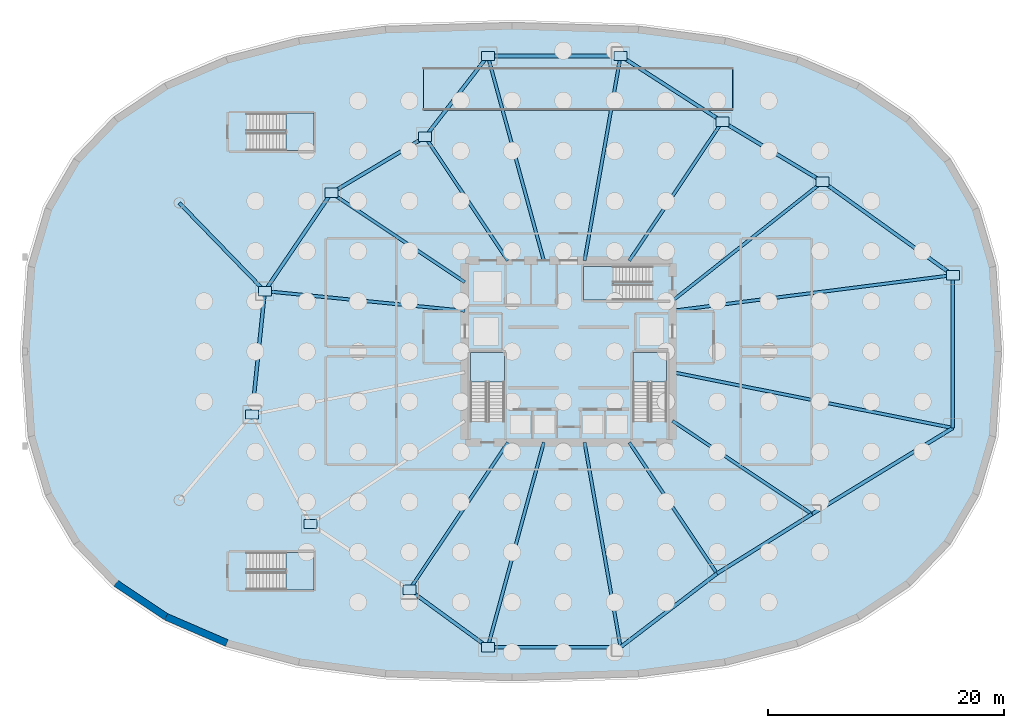
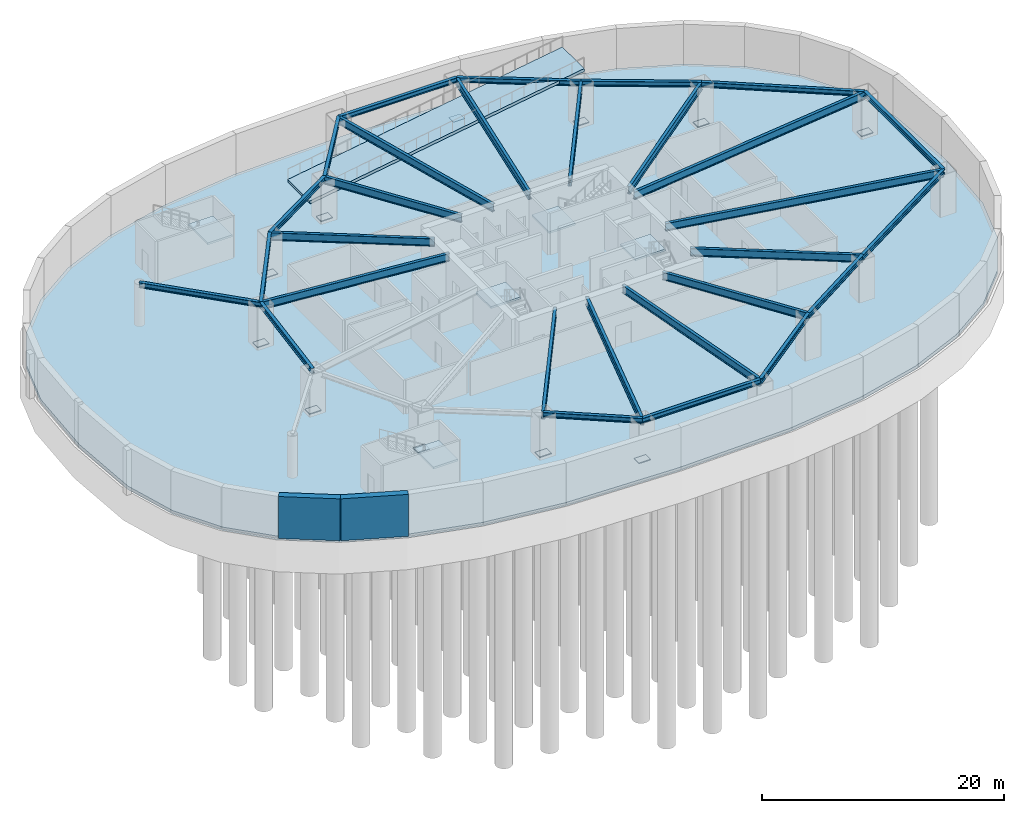
# One storey, part 2 of 10: 29 beams, 12 plates, 7 slabs, 2 walls, 5 elements without a shape of their own.
"""IFC4 building model written with IfcOpenShell, lengths in metres."""

from ifc_helpers import new_model, si_unit, direction, frame, frame_2d, origin, origin_2d, place, context, subcontext, project, spatial, polyline, rectangle, i_section, outline, extrude, source, transform, mapped, material, layer, layer_set, material_profile, profile_set, type_object, element, aggregate, save


model = new_model("IFC4")

# Units and contexts
model_context = context("Model", 3, precision=1e-05, world=origin(), true_north=direction((0.0, 1.0)))
body_context = subcontext(model_context, "Body", "Model", "MODEL_VIEW")
ifc_project = project(units=[si_unit("LENGTHUNIT", "METRE"), si_unit("AREAUNIT", "SQUARE_METRE"), si_unit("VOLUMEUNIT", "CUBIC_METRE"), si_unit("PLANEANGLEUNIT", "RADIAN"), si_unit("MASSUNIT", "GRAM", prefix="KILO"), si_unit("THERMODYNAMICTEMPERATUREUNIT", "KELVIN")], contexts=[model_context])

# Site, building, storey
site_placement = place(None, origin())
site = spatial("IfcSite", under=ifc_project, at=site_placement, CompositionType="ELEMENT")
building_placement = place(site_placement, origin())
building = spatial("IfcBuilding", under=site, at=building_placement, Name="Kethvar Cultural Tower", CompositionType="ELEMENT")
storey_placement = place(building_placement, frame((0.0, 0.0, -9.0)))
storey = spatial("IfcBuildingStorey", under=building, at=storey_placement, Name="B02", CompositionType="ELEMENT", Elevation=-9.0)

# Beams
ifc_material_1 = material(Name="Steel S355J2", Category="steel")
ifc_material_profile_1 = material_profile(ifc_material_1, i_section(OverallWidth=0.300048828125, OverallDepth=0.5, WebThickness=0.014404296875, FlangeThickness=0.028076171875, FilletRadius=0.027099609375, at=origin_2d()), Name="Steel S355J2 — HEB500")
ifc_profile_set_1 = profile_set([ifc_material_profile_1], Name="Steel S355J2 — HEB500")
beam_type_1 = type_object("IfcBeamType", Name="BM-SP500", PredefinedType="SPANDREL", material=ifc_profile_set_1)
shared_shape_1 = source(origin(), body_context, "Body", "SweptSolid", [
    extrude(i_section(OverallWidth=0.300048828125, OverallDepth=0.5, WebThickness=0.014404296875, FlangeThickness=0.028076171875, FilletRadius=0.027099609375, at=origin_2d()), origin(), (0.0, 0.0, 1.0), 13.5712890625),
])
beam_1_placement = place(storey_placement, frame((79.362060546875, 34.277099609375, 3.968017578125), z_axis=(-0.812419874207, 0.583072849645, 0.0), x_axis=(-0.583072849645, -0.812419874207, 0.0)))
element("IfcBeam", 1, at=beam_1_placement, inside=storey, type_object=beam_type_1, Name="B02 Podium Ring Beam 01", PredefinedType="SPANDREL", context=body_context, shape_type="MappedRepresentation", body=[
    mapped(shared_shape_1, transform((0.0, 0.0, 0.0), scale=1.0)),
])
shared_shape_2 = source(origin(), body_context, "Body", "SweptSolid", [
    extrude(i_section(OverallWidth=0.300048828125, OverallDepth=0.5, WebThickness=0.014404296875, FlangeThickness=0.028076171875, FilletRadius=0.027099609375, at=origin_2d()), origin(), (0.0, 0.0, 1.0), 9.924072265625),
])
beam_2_placement = place(storey_placement, frame((68.33642578125, 42.190185546875, 3.968017578125), z_axis=(-0.857664361463, 0.514209921215, 0.0), x_axis=(-0.514209921215, -0.857664361463, 0.0)))
element("IfcBeam", 2, at=beam_2_placement, inside=storey, type_object=beam_type_1, Name="B02 Podium Ring Beam 02", PredefinedType="SPANDREL", context=body_context, shape_type="MappedRepresentation", body=[
    mapped(shared_shape_2, transform((0.0, 0.0, 0.0), scale=1.0)),
])
shared_shape_3 = source(origin(), body_context, "Body", "SweptSolid", [
    extrude(i_section(OverallWidth=0.300048828125, OverallDepth=0.5, WebThickness=0.014404296875, FlangeThickness=0.028076171875, FilletRadius=0.027099609375, at=origin_2d()), origin(), (0.0, 0.0, 1.0), 10.260009765625),
])
beam_3_placement = place(storey_placement, frame((59.824951171875, 47.293212890625, 3.968017578125), z_axis=(-0.840635315951, 0.541601574569, 0.0), x_axis=(-0.541601574569, -0.840635315951, 0.0)))
element("IfcBeam", 3, at=beam_3_placement, inside=storey, type_object=beam_type_1, Name="B02 Podium Ring Beam 03", PredefinedType="SPANDREL", context=body_context, shape_type="MappedRepresentation", body=[
    mapped(shared_shape_3, transform((0.0, 0.0, 0.0), scale=1.0)),
])
shared_shape_4 = source(origin(), body_context, "Body", "SweptSolid", [
    extrude(i_section(OverallWidth=0.300048828125, OverallDepth=0.5, WebThickness=0.014404296875, FlangeThickness=0.028076171875, FilletRadius=0.027099609375, at=origin_2d()), origin(), (0.0, 0.0, 1.0), 11.25),
])
for number, where, z_axis, x_axis, name in (
    (4, (51.199951171875, 52.85009765625, 3.968017578125), (-1.0, 0.0, 0.0), (0.0, -1.0, 0.0), "B02 Podium Ring Beam 04"),
    (5, (39.949951171875, 2.75, 3.968017578125), (1.0, 0.0, 0.0), (0.0, 1.0, 0.0), "B02 Podium Ring Beam 12"),
):
    element("IfcBeam", number, at=place(storey_placement, frame(where, z_axis=z_axis, x_axis=x_axis)), inside=storey, type_object=beam_type_1, Name=name, PredefinedType="SPANDREL", context=body_context, shape_type="MappedRepresentation", body=[
        mapped(shared_shape_4, transform((0.0, 0.0, 0.0), scale=1.0)),
    ])
shared_shape_5 = source(origin(), body_context, "Body", "SweptSolid", [
    extrude(i_section(OverallWidth=0.300048828125, OverallDepth=0.5, WebThickness=0.014404296875, FlangeThickness=0.028076171875, FilletRadius=0.027099609375, at=origin_2d()), origin(), (0.0, 0.0, 1.0), 8.671630859375),
])
beam_4_placement = place(storey_placement, frame((39.949951171875, 52.85009765625, 3.968017578125), z_axis=(-0.611647801721, -0.791130183124, 0.0), x_axis=(0.791130183124, -0.611647801721, 0.0)))
element("IfcBeam", 6, at=beam_4_placement, inside=storey, type_object=beam_type_1, Name="B02 Podium Ring Beam 05", PredefinedType="SPANDREL", context=body_context, shape_type="MappedRepresentation", body=[
    mapped(shared_shape_5, transform((0.0, 0.0, 0.0), scale=1.0)),
])
shared_shape_6 = source(origin(), body_context, "Body", "SweptSolid", [
    extrude(i_section(OverallWidth=0.300048828125, OverallDepth=0.5, WebThickness=0.014404296875, FlangeThickness=0.028076171875, FilletRadius=0.027099609375, at=origin_2d()), origin(), (0.0, 0.0, 1.0), 9.270263671875),
])
beam_5_placement = place(storey_placement, frame((34.64599609375, 45.98974609375, 3.968017578125), z_axis=(-0.858814626354, -0.51228647997, 0.0), x_axis=(0.51228647997, -0.858814626354, 0.0)))
element("IfcBeam", 7, at=beam_5_placement, inside=storey, type_object=beam_type_1, Name="B02 Podium Ring Beam 06", PredefinedType="SPANDREL", context=body_context, shape_type="MappedRepresentation", body=[
    mapped(shared_shape_6, transform((0.0, 0.0, 0.0), scale=1.0)),
])
shared_shape_7 = source(origin(), body_context, "Body", "SweptSolid", [
    extrude(i_section(OverallWidth=0.300048828125, OverallDepth=0.5, WebThickness=0.014404296875, FlangeThickness=0.028076171875, FilletRadius=0.027099609375, at=origin_2d()), origin(), (0.0, 0.0, 1.0), 10.048583984375),
])
beam_6_placement = place(storey_placement, frame((26.6845703125, 41.24072265625, 3.968017578125), z_axis=(-0.561025415443, -0.827798576483, 0.0), x_axis=(0.827798576483, -0.561025415443, 0.0)))
element("IfcBeam", 8, at=beam_6_placement, inside=storey, type_object=beam_type_1, Name="B02 Podium Ring Beam 07", PredefinedType="SPANDREL", context=body_context, shape_type="MappedRepresentation", body=[
    mapped(shared_shape_7, transform((0.0, 0.0, 0.0), scale=1.0)),
])
shared_shape_8 = source(origin(), body_context, "Body", "SweptSolid", [
    extrude(i_section(OverallWidth=0.300048828125, OverallDepth=0.5, WebThickness=0.014404296875, FlangeThickness=0.028076171875, FilletRadius=0.027099609375, at=origin_2d()), origin(), (0.0, 0.0, 1.0), 10.515869140625),
])
beam_7_placement = place(storey_placement, frame((21.047119140625, 32.922607421875, 3.968017578125), z_axis=(-0.102824694973, -0.994699493367, 0.0), x_axis=(0.994699493367, -0.102824694973, 0.0)))
element("IfcBeam", 9, at=beam_7_placement, inside=storey, type_object=beam_type_1, Name="B02 Podium Ring Beam 08", PredefinedType="SPANDREL", context=body_context, shape_type="MappedRepresentation", body=[
    mapped(shared_shape_8, transform((0.0, 0.0, 0.0), scale=1.0)),
])
shared_shape_9 = source(origin(), body_context, "Body", "SweptSolid", [
    extrude(i_section(OverallWidth=0.300048828125, OverallDepth=0.5, WebThickness=0.014404296875, FlangeThickness=0.028076171875, FilletRadius=0.027099609375, at=origin_2d()), origin(), (0.0, 0.0, 1.0), 8.228515625),
])
beam_8_placement = place(storey_placement, frame((33.302001953125, 7.598876953125, 3.968017578125), z_axis=(0.807925716462, -0.589284342808, 0.0), x_axis=(0.589284342808, 0.807925716462, 0.0)))
element("IfcBeam", 10, at=beam_8_placement, inside=storey, type_object=beam_type_1, Name="B02 Podium Ring Beam 11", PredefinedType="SPANDREL", context=body_context, shape_type="MappedRepresentation", body=[
    mapped(shared_shape_9, transform((0.0, 0.0, 0.0), scale=1.0)),
])
shared_shape_10 = source(origin(), body_context, "Body", "SweptSolid", [
    extrude(i_section(OverallWidth=0.300048828125, OverallDepth=0.5, WebThickness=0.014404296875, FlangeThickness=0.028076171875, FilletRadius=0.027099609375, at=origin_2d()), origin(), (0.0, 0.0, 1.0), 10.279052734375),
])
beam_9_placement = place(storey_placement, frame((51.199951171875, 2.75, 3.968017578125), z_axis=(0.794869246576, 0.606780751876, 0.0), x_axis=(-0.606780751876, 0.794869246576, 0.0)))
element("IfcBeam", 11, at=beam_9_placement, inside=storey, type_object=beam_type_1, Name="B02 Podium Ring Beam 13", PredefinedType="SPANDREL", context=body_context, shape_type="MappedRepresentation", body=[
    mapped(shared_shape_10, transform((0.0, 0.0, 0.0), scale=1.0)),
])
shared_shape_11 = source(origin(), body_context, "Body", "SweptSolid", [
    extrude(i_section(OverallWidth=0.300048828125, OverallDepth=0.5, WebThickness=0.014404296875, FlangeThickness=0.028076171875, FilletRadius=0.027099609375, at=origin_2d()), origin(), (0.0, 0.0, 1.0), 9.493896484375),
])
beam_10_placement = place(storey_placement, frame((59.370361328125, 8.987060546875, 3.968017578125), z_axis=(0.847710685997, 0.530458851228, 0.0), x_axis=(-0.530458851228, 0.847710685997, 0.0)))
element("IfcBeam", 12, at=beam_10_placement, inside=storey, type_object=beam_type_1, Name="B02 Podium Ring Beam 14", PredefinedType="SPANDREL", context=body_context, shape_type="MappedRepresentation", body=[
    mapped(shared_shape_11, transform((0.0, 0.0, 0.0), scale=1.0)),
])
shared_shape_12 = source(origin(), body_context, "Body", "SweptSolid", [
    extrude(i_section(OverallWidth=0.300048828125, OverallDepth=0.5, WebThickness=0.014404296875, FlangeThickness=0.028076171875, FilletRadius=0.027099609375, at=origin_2d()), origin(), (0.0, 0.0, 1.0), 13.997802734375),
])
beam_11_placement = place(storey_placement, frame((67.41845703125, 14.023193359375, 3.968017578125), z_axis=(0.853252083851, 0.521498687826, 0.0), x_axis=(-0.521498687826, 0.853252083851, 0.0)))
element("IfcBeam", 13, at=beam_11_placement, inside=storey, type_object=beam_type_1, Name="B02 Podium Ring Beam 15", PredefinedType="SPANDREL", context=body_context, shape_type="MappedRepresentation", body=[
    mapped(shared_shape_12, transform((0.0, 0.0, 0.0), scale=1.0)),
])
shared_shape_13 = source(origin(), body_context, "Body", "SweptSolid", [
    extrude(i_section(OverallWidth=0.300048828125, OverallDepth=0.5, WebThickness=0.014404296875, FlangeThickness=0.028076171875, FilletRadius=0.027099609375, at=origin_2d()), origin(), (0.0, 0.0, 1.0), 12.9541015625),
])
beam_12_placement = place(storey_placement, frame((79.362060546875, 21.322998046875, 3.968017578125), z_axis=(0.0, 1.0, 0.0), x_axis=(-1.0, 0.0, 0.0)))
element("IfcBeam", 14, at=beam_12_placement, inside=storey, type_object=beam_type_1, Name="B02 Podium Ring Beam 16", PredefinedType="SPANDREL", context=body_context, shape_type="MappedRepresentation", body=[
    mapped(shared_shape_13, transform((0.0, 0.0, 0.0), scale=1.0)),
])
shared_shape_14 = source(origin(), body_context, "Body", "SweptSolid", [
    extrude(i_section(OverallWidth=0.300048828125, OverallDepth=0.5, WebThickness=0.014404296875, FlangeThickness=0.028076171875, FilletRadius=0.027099609375, at=origin_2d()), origin(), (0.0, 0.0, 1.0), 10.4130859375),
])
beam_13_placement = place(storey_placement, frame((13.800048828125, 40.39990234375, 3.968017578125), z_axis=(0.695965659729, -0.718075066047, 0.0), x_axis=(0.718075066047, 0.695965659729, 0.0)))
element("IfcBeam", 15, at=beam_13_placement, inside=storey, type_object=beam_type_1, Name="B02 West Atrium Wing Beam 02", PredefinedType="SPANDREL", context=body_context, shape_type="MappedRepresentation", body=[
    mapped(shared_shape_14, transform((0.0, 0.0, 0.0), scale=1.0)),
])
ifc_material_profile_2 = material_profile(ifc_material_1, i_section(OverallWidth=0.26708984375, OverallDepth=0.761962890625, WebThickness=0.014404296875, FlangeThickness=0.021484375, FilletRadius=0.01708984375, at=origin_2d()), Name="Steel S355J2 — IPE750x173")
ifc_profile_set_2 = profile_set([ifc_material_profile_2], Name="Steel S355J2 — IPE750x173")
beam_type_2 = type_object("IfcBeamType", Name="BM-IPE750", PredefinedType="BEAM", material=ifc_profile_set_2)
shared_shape_15 = source(origin(), body_context, "Body", "SweptSolid", [
    extrude(i_section(OverallWidth=0.26708984375, OverallDepth=0.761962890625, WebThickness=0.014404296875, FlangeThickness=0.021484375, FilletRadius=0.01708984375, at=origin_2d()), origin(), (0.0, 0.0, 1.0), 23.9541015625),
])
beam_14_placement = place(storey_placement, frame((55.60009765625, 31.25, 3.8369140625), z_axis=(0.991983004647, 0.126371351546, 0.0), x_axis=(-0.126371351546, 0.991983004647, 0.0)))
element("IfcBeam", 16, at=beam_14_placement, inside=storey, type_object=beam_type_2, Name="B02 Podium Radial Girder 01", PredefinedType="BEAM", context=body_context, shape_type="MappedRepresentation", body=[
    mapped(shared_shape_15, transform((0.0, 0.0, 0.0), scale=1.0)),
])
shared_shape_16 = source(origin(), body_context, "Body", "SweptSolid", [
    extrude(i_section(OverallWidth=0.26708984375, OverallDepth=0.761962890625, WebThickness=0.014404296875, FlangeThickness=0.021484375, FilletRadius=0.01708984375, at=origin_2d()), origin(), (0.0, 0.0, 1.0), 16.248779296875),
])
beam_15_placement = place(storey_placement, frame((55.60009765625, 32.10009765625, 3.8369140625), z_axis=(0.783831288624, 0.620973840813, 0.0), x_axis=(-0.620973840813, 0.783831288624, 0.0)))
element("IfcBeam", 17, at=beam_15_placement, inside=storey, type_object=beam_type_2, Name="B02 Podium Radial Girder 02", PredefinedType="BEAM", context=body_context, shape_type="MappedRepresentation", body=[
    mapped(shared_shape_16, transform((0.0, 0.0, 0.0), scale=1.0)),
])
shared_shape_17 = source(origin(), body_context, "Body", "SweptSolid", [
    extrude(i_section(OverallWidth=0.26708984375, OverallDepth=0.761962890625, WebThickness=0.014404296875, FlangeThickness=0.021484375, FilletRadius=0.01708984375, at=origin_2d()), origin(), (0.0, 0.0, 1.0), 14.18359375),
])
beam_16_placement = place(storey_placement, frame((51.945068359375, 35.5, 3.8369140625), z_axis=(0.55556584065, 0.831472547174, 0.0), x_axis=(-0.831472547174, 0.55556584065, 0.0)))
element("IfcBeam", 18, at=beam_16_placement, inside=storey, type_object=beam_type_2, Name="B02 Podium Radial Girder 03", PredefinedType="BEAM", context=body_context, shape_type="MappedRepresentation", body=[
    mapped(shared_shape_17, transform((0.0, 0.0, 0.0), scale=1.0)),
])
shared_shape_18 = source(origin(), body_context, "Body", "SweptSolid", [
    extrude(i_section(OverallWidth=0.26708984375, OverallDepth=0.761962890625, WebThickness=0.014404296875, FlangeThickness=0.021484375, FilletRadius=0.01708984375, at=origin_2d()), origin(), (0.0, 0.0, 1.0), 17.61572265625),
])
for number, where, z_axis, x_axis, name in (
    (19, (48.152587890625, 35.5, 3.8369140625), (0.172991485085, 0.984923319903, 0.0), (-0.984923319903, 0.172991485085, 0.0), "B02 Podium Radial Girder 04"),
    (20, (48.152587890625, 20.10009765625, 3.8369140625), (0.172991485085, -0.984923319903, 0.0), (0.984923319903, 0.172991485085, 0.0), "B02 Podium Radial Girder 13"),
):
    element("IfcBeam", number, at=place(storey_placement, frame(where, z_axis=z_axis, x_axis=x_axis)), inside=storey, type_object=beam_type_2, Name=name, PredefinedType="BEAM", context=body_context, shape_type="MappedRepresentation", body=[
        mapped(shared_shape_18, transform((0.0, 0.0, 0.0), scale=1.0)),
    ])
shared_shape_19 = source(origin(), body_context, "Body", "SweptSolid", [
    extrude(i_section(OverallWidth=0.26708984375, OverallDepth=0.761962890625, WebThickness=0.014404296875, FlangeThickness=0.021484375, FilletRadius=0.01708984375, at=origin_2d()), origin(), (0.0, 0.0, 1.0), 17.987060546875),
])
for number, where, z_axis, x_axis, name in (
    (21, (44.6943359375, 35.5, 3.8369140625), (-0.26376624534, 0.964586630541, 0.0), (-0.964586630541, -0.26376624534, 0.0), "B02 Podium Radial Girder 05"),
    (22, (44.6943359375, 20.10009765625, 3.8369140625), (-0.26376624534, -0.964586630541, 0.0), (0.964586630541, -0.26376624534, 0.0), "B02 Podium Radial Girder 12"),
):
    element("IfcBeam", number, at=place(storey_placement, frame(where, z_axis=z_axis, x_axis=x_axis)), inside=storey, type_object=beam_type_2, Name=name, PredefinedType="BEAM", context=body_context, shape_type="MappedRepresentation", body=[
        mapped(shared_shape_19, transform((0.0, 0.0, 0.0), scale=1.0)),
    ])
shared_shape_20 = source(origin(), body_context, "Body", "SweptSolid", [
    extrude(i_section(OverallWidth=0.26708984375, OverallDepth=0.761962890625, WebThickness=0.014404296875, FlangeThickness=0.021484375, FilletRadius=0.01708984375, at=origin_2d()), origin(), (0.0, 0.0, 1.0), 12.615966796875),
])
beam_17_placement = place(storey_placement, frame((41.655029296875, 35.5, 3.8369140625), z_axis=(-0.555570723257, 0.831469284736, 0.0), x_axis=(-0.831469284736, -0.555570723257, 0.0)))
element("IfcBeam", 23, at=beam_17_placement, inside=storey, type_object=beam_type_2, Name="B02 Podium Radial Girder 06", PredefinedType="BEAM", context=body_context, shape_type="MappedRepresentation", body=[
    mapped(shared_shape_20, transform((0.0, 0.0, 0.0), scale=1.0)),
])
shared_shape_21 = source(origin(), body_context, "Body", "SweptSolid", [
    extrude(i_section(OverallWidth=0.26708984375, OverallDepth=0.761962890625, WebThickness=0.014404296875, FlangeThickness=0.021484375, FilletRadius=0.01708984375, at=origin_2d()), origin(), (0.0, 0.0, 1.0), 13.60888671875),
])
beam_18_placement = place(storey_placement, frame((38.0, 33.679931640625, 3.8369140625), z_axis=(-0.831467486755, 0.555573414113, 0.0), x_axis=(-0.555573414113, -0.831467486755, 0.0)))
element("IfcBeam", 24, at=beam_18_placement, inside=storey, type_object=beam_type_2, Name="B02 Podium Radial Girder 07", PredefinedType="BEAM", context=body_context, shape_type="MappedRepresentation", body=[
    mapped(shared_shape_21, transform((0.0, 0.0, 0.0), scale=1.0)),
])
shared_shape_22 = source(origin(), body_context, "Body", "SweptSolid", [
    extrude(i_section(OverallWidth=0.26708984375, OverallDepth=0.761962890625, WebThickness=0.014404296875, FlangeThickness=0.021484375, FilletRadius=0.01708984375, at=origin_2d()), origin(), (0.0, 0.0, 1.0), 17.03515625),
])
beam_19_placement = place(storey_placement, frame((38.0, 31.25, 3.8369140625), z_axis=(-0.995168138859, 0.098185413375, 0.0), x_axis=(-0.098185413375, -0.995168138859, 0.0)))
element("IfcBeam", 25, at=beam_19_placement, inside=storey, type_object=beam_type_2, Name="B02 Podium Radial Girder 08", PredefinedType="BEAM", context=body_context, shape_type="MappedRepresentation", body=[
    mapped(shared_shape_22, transform((0.0, 0.0, 0.0), scale=1.0)),
])
shared_shape_23 = source(origin(), body_context, "Body", "SweptSolid", [
    extrude(i_section(OverallWidth=0.26708984375, OverallDepth=0.761962890625, WebThickness=0.014404296875, FlangeThickness=0.021484375, FilletRadius=0.01708984375, at=origin_2d()), origin(), (0.0, 0.0, 1.0), 15.03515625),
])
beam_20_placement = place(storey_placement, frame((41.655029296875, 20.10009765625, 3.8369140625), z_axis=(-0.555569254616, -0.83147026605, 0.0), x_axis=(0.83147026605, -0.555569254616, 0.0)))
element("IfcBeam", 26, at=beam_20_placement, inside=storey, type_object=beam_type_2, Name="B02 Podium Radial Girder 11", PredefinedType="BEAM", context=body_context, shape_type="MappedRepresentation", body=[
    mapped(shared_shape_23, transform((0.0, 0.0, 0.0), scale=1.0)),
])
shared_shape_24 = source(origin(), body_context, "Body", "SweptSolid", [
    extrude(i_section(OverallWidth=0.26708984375, OverallDepth=0.761962890625, WebThickness=0.014404296875, FlangeThickness=0.021484375, FilletRadius=0.01708984375, at=origin_2d()), origin(), (0.0, 0.0, 1.0), 13.365478515625),
])
beam_21_placement = place(storey_placement, frame((51.945068359375, 20.10009765625, 3.8369140625), z_axis=(0.555559834465, -0.831476560301, 0.0), x_axis=(0.831476560301, 0.555559834465, 0.0)))
element("IfcBeam", 27, at=beam_21_placement, inside=storey, type_object=beam_type_2, Name="B02 Podium Radial Girder 14", PredefinedType="BEAM", context=body_context, shape_type="MappedRepresentation", body=[
    mapped(shared_shape_24, transform((0.0, 0.0, 0.0), scale=1.0)),
])
shared_shape_25 = source(origin(), body_context, "Body", "SweptSolid", [
    extrude(i_section(OverallWidth=0.26708984375, OverallDepth=0.761962890625, WebThickness=0.014404296875, FlangeThickness=0.021484375, FilletRadius=0.01708984375, at=origin_2d()), origin(), (0.0, 0.0, 1.0), 14.2138671875),
])
beam_22_placement = place(storey_placement, frame((55.60009765625, 21.920166015625, 3.8369140625), z_axis=(0.831463197362, -0.555579833537, 0.0), x_axis=(0.555579833537, 0.831463197362, 0.0)))
element("IfcBeam", 28, at=beam_22_placement, inside=storey, type_object=beam_type_2, Name="B02 Podium Radial Girder 15", PredefinedType="BEAM", context=body_context, shape_type="MappedRepresentation", body=[
    mapped(shared_shape_25, transform((0.0, 0.0, 0.0), scale=1.0)),
])
shared_shape_26 = source(origin(), body_context, "Body", "SweptSolid", [
    extrude(i_section(OverallWidth=0.26708984375, OverallDepth=0.761962890625, WebThickness=0.014404296875, FlangeThickness=0.021484375, FilletRadius=0.01708984375, at=origin_2d()), origin(), (0.0, 0.0, 1.0), 24.2275390625),
])
beam_23_placement = place(storey_placement, frame((55.60009765625, 26.049560546875, 3.8369140625), z_axis=(0.980785168194, -0.195090886131, 0.0), x_axis=(0.195090886131, 0.980785168194, 0.0)))
element("IfcBeam", 29, at=beam_23_placement, inside=storey, type_object=beam_type_2, Name="B02 Podium Radial Girder 16", PredefinedType="BEAM", context=body_context, shape_type="MappedRepresentation", body=[
    mapped(shared_shape_26, transform((0.0, 0.0, 0.0), scale=1.0)),
])

# Slabs
ifc_material_2 = material(Name="Concrete C45/55", Category="concrete")
ifc_layer_1 = layer(ifc_material_2, 0.35009765625, Name="Concrete C45/55", Category="concrete")
ifc_layer_set_1 = layer_set([ifc_layer_1], Name="Concrete C45/55 (350 mm)")
slab_type_1 = type_object("IfcSlabType", Name="SL-BASE-350", PredefinedType="BASESLAB", material=ifc_layer_set_1)
slab_1_placement = place(storey_placement, frame((0.0, 0.0, -0.35009765625)))
element("IfcSlab", 30, at=slab_1_placement, inside=storey, type_object=slab_type_1, Name="B02 Structural Floor Slab", PredefinedType="BASESLAB", context=body_context, shape_type="SweptSolid", body=[
    extrude(outline(polyline([(83.199951171875, 27.800048828125), (82.7177734375, 34.978515625), (81.275146484375, 39.8916015625), (78.884521484375, 43.993896484375), (75.56298828125, 47.44580078125), (71.326416015625, 50.283935546875), (66.17333984375, 52.509033203125), (60.0498046875, 54.110595703125), (52.7158203125, 55.076904296875), (42.0, 55.39990234375), (31.2841796875, 55.076904296875), (23.9501953125, 54.110595703125), (17.82666015625, 52.509033203125), (12.673583984375, 50.283935546875), (8.43701171875, 47.44580078125), (5.115478515625, 43.993896484375), (2.724853515625, 39.8916015625), (1.2822265625, 34.978515625), (0.800048828125, 27.800048828125), (1.2822265625, 20.621337890625), (2.724853515625, 15.708251953125), (5.115478515625, 11.606201171875), (8.43701171875, 8.154296875), (12.673583984375, 5.31591796875), (17.82666015625, 3.091064453125), (23.9501953125, 1.489501953125), (31.2841796875, 0.523193359375), (42.0, 0.199951171875), (52.7158203125, 0.523193359375), (60.0498046875, 1.489501953125), (66.17333984375, 3.091064453125), (71.326416015625, 5.31591796875), (75.56298828125, 8.154296875), (78.884521484375, 11.606201171875), (81.275146484375, 15.708251953125), (82.7177734375, 20.621337890625), (83.199951171875, 27.800048828125)])), origin(), (0.0, 0.0, 1.0), 0.35009765625),
])
ifc_material_3 = material(Name="Concrete C40/50", Category="concrete")
ifc_layer_2 = layer(ifc_material_3, 0.300048828125, Name="Concrete C40/50", Category="concrete")
ifc_layer_set_2 = layer_set([ifc_layer_2], Name="Concrete C40/50 (300 mm)")
slab_type_2 = type_object("IfcSlabType", Name="SL-RAMP-VEH-300", PredefinedType="FLOOR", material=ifc_layer_set_2)
slab_2_placement = place(storey_placement, frame((34.52001953125, 48.25, 0.304931640625), z_axis=(-0.158339463888, 0.0, 0.987384734628), x_axis=(0.987384734628, 0.0, 0.158339463888)))
element("IfcSlab", 31, at=slab_2_placement, inside=storey, type_object=slab_type_2, Name="Basement B02 to B01 Vehicle Ramp Slab", PredefinedType="FLOOR", context=body_context, shape_type="SweptSolid", body=[
    extrude(outline(polyline([(0.0, 0.0), (26.494142750994115, 0.0), (26.494142750994115, 3.60009765625), (0.0, 3.60009765625), (0.0, 0.0)])), origin(), (0.0, 0.0, -1.0), 0.300048828125),
])

# Stair, slab
stair_type_1 = type_object("IfcStairType", Name="ST-DOGLEG-135", PredefinedType="HALF_TURN_STAIR", material=ifc_material_3)
stair_1_placement = place(storey_placement, origin())
stair_1 = element("IfcStair", 32, at=stair_1_placement, inside=storey, type_object=stair_type_1, Name="B02 Core Exit Stair 1", PredefinedType="HALF_TURN_STAIR")
ifc_layer_3 = layer(ifc_material_3, 0.199951171875, Name="Concrete C40/50", Category="concrete")
ifc_layer_set_3 = layer_set([ifc_layer_3], Name="Concrete C40/50 (200 mm)")
slab_type_3 = type_object("IfcSlabType", Name="SL-STAIR-LANDING-200", PredefinedType="LANDING", material=ifc_layer_set_3)
slab_3_placement = place(storey_placement, frame((0.0, 0.0, 2.050048828125)))
slab_3 = element("IfcSlab", 33, at=slab_3_placement, type_object=slab_type_3, Name="ST-01 landing 1", PredefinedType="LANDING", context=body_context, shape_type="SweptSolid", body=[
    extrude(outline(polyline([(41.35009765625, 25.2099609375), (41.35009765625, 27.699951171875), (38.489990234375, 27.699951171875), (38.489990234375, 25.2099609375), (41.35009765625, 25.2099609375)])), origin(), (0.0, 0.0, 1.0), 0.199951171875),
])
aggregate(stair_1, [slab_3])

stair_2_placement = place(storey_placement, origin())
stair_2 = element("IfcStair", 34, at=stair_2_placement, inside=storey, type_object=stair_type_1, Name="B02 Core Exit Stair 2", PredefinedType="HALF_TURN_STAIR")
slab_4_placement = place(storey_placement, frame((0.0, 0.0, 2.050048828125)))
slab_4 = element("IfcSlab", 35, at=slab_4_placement, type_object=slab_type_3, Name="ST-02 landing 1", PredefinedType="LANDING", context=body_context, shape_type="SweptSolid", body=[
    extrude(outline(polyline([(55.110107421875, 25.2099609375), (55.110107421875, 27.699951171875), (52.25, 27.699951171875), (52.25, 25.2099609375), (55.110107421875, 25.2099609375)])), origin(), (0.0, 0.0, 1.0), 0.199951171875),
])
aggregate(stair_2, [slab_4])

stair_3_placement = place(storey_placement, origin())
stair_3 = element("IfcStair", 36, at=stair_3_placement, inside=storey, type_object=stair_type_1, Name="B02 Core Exit Stair 3", PredefinedType="HALF_TURN_STAIR")
slab_5_placement = place(storey_placement, frame((0.0, 0.0, 2.050048828125)))
slab_5 = element("IfcSlab", 37, at=slab_5_placement, type_object=slab_type_3, Name="ST-03 landing 1", PredefinedType="LANDING", context=body_context, shape_type="SweptSolid", body=[
    extrude(outline(polyline([(50.5400390625, 35.010009765625), (48.050048828125, 35.010009765625), (48.050048828125, 32.14990234375), (50.5400390625, 32.14990234375), (50.5400390625, 35.010009765625)])), origin(), (0.0, 0.0, 1.0), 0.199951171875),
])
aggregate(stair_3, [slab_5])

stair_type_2 = type_object("IfcStairType", Name="ST-DOGLEG-150", PredefinedType="HALF_TURN_STAIR", material=ifc_material_3)
stair_4_placement = place(storey_placement, origin())
stair_4 = element("IfcStair", 38, at=stair_4_placement, inside=storey, type_object=stair_type_2, Name="B02 Podium Auditorium Exit Stair 4", PredefinedType="HALF_TURN_STAIR")
slab_6_placement = place(storey_placement, frame((0.0, 0.0, 2.050048828125)))
slab_6 = element("IfcSlab", 39, at=slab_6_placement, type_object=slab_type_3, Name="ST-04 landing 1", PredefinedType="LANDING", context=body_context, shape_type="SweptSolid", body=[
    extrude(outline(polyline([(22.860107421875, 7.60009765625), (25.199951171875, 7.60009765625), (25.199951171875, 10.760009765625), (22.860107421875, 10.760009765625), (22.860107421875, 7.60009765625)])), origin(), (0.0, 0.0, 1.0), 0.199951171875),
])
aggregate(stair_4, [slab_6])

stair_5_placement = place(storey_placement, origin())
stair_5 = element("IfcStair", 40, at=stair_5_placement, inside=storey, type_object=stair_type_2, Name="B02 Podium Auditorium Exit Stair 5", PredefinedType="HALF_TURN_STAIR")
slab_7_placement = place(storey_placement, frame((0.0, 0.0, 2.050048828125)))
slab_7 = element("IfcSlab", 41, at=slab_7_placement, type_object=slab_type_3, Name="ST-05 landing 1", PredefinedType="LANDING", context=body_context, shape_type="SweptSolid", body=[
    extrude(outline(polyline([(22.860107421875, 44.840087890625), (25.199951171875, 44.840087890625), (25.199951171875, 48.0), (22.860107421875, 48.0), (22.860107421875, 44.840087890625)])), origin(), (0.0, 0.0, 1.0), 0.199951171875),
])
aggregate(stair_5, [slab_7])

# Plates
ifc_material_4 = material(Name="Steel S460M", Category="steel")
ifc_layer_4 = layer(ifc_material_4, 0.054931640625, Name="Steel S460M", Category="steel")
ifc_layer_set_4 = layer_set([ifc_layer_4], Name="Steel S460M (55 mm)")
plate_type = type_object("IfcPlateType", Name="PL-BASE-1100", PredefinedType="SHEET", material=ifc_layer_set_4)
shared_shape_27 = source(origin(), body_context, "Body", "SweptSolid", [
    extrude(rectangle(XDim=1.10009765625, YDim=0.800048828125, at=origin_2d()), origin(), (0.0, 0.0, 1.0), 0.054931640625),
])
for number, where, z_axis, x_axis, name in (
    (42, (79.362060546875, 34.277099609375, 0.0), (0.0, 0.0, 1.0), (1.0, 0.0, 0.0), "B02 Mega-Column Baseplate BP-01"),
    (43, (68.33642578125, 42.190185546875, 0.0), (0.0, 0.0, 1.0), (1.0, 0.0, 0.0), "B02 Mega-Column Baseplate BP-02"),
    (44, (59.824951171875, 47.293212890625, 0.0), (0.0, 0.0, 1.0), (1.0, 0.0, 0.0), "B02 Mega-Column Baseplate BP-03"),
    (45, (51.199951171875, 52.85009765625, 0.0), (0.0, 0.0, 1.0), (1.0, 0.0, 0.0), "B02 Mega-Column Baseplate BP-04"),
    (46, (39.949951171875, 52.85009765625, 0.0), (0.0, 0.0, 1.0), (1.0, 0.0, 0.0), "B02 Mega-Column Baseplate BP-05"),
    (47, (34.64599609375, 45.98974609375, 0.0), (0.0, 0.0, 1.0), (1.0, 0.0, 0.0), "B02 Mega-Column Baseplate BP-06"),
    (48, (26.6845703125, 41.24072265625, 0.0), (0.0, 0.0, 1.0), (1.0, 0.0, 0.0), "B02 Mega-Column Baseplate BP-07"),
    (49, (21.047119140625, 32.922607421875, 0.0), (0.0, 0.0, 1.0), (1.0, 0.0, 0.0), "B02 Mega-Column Baseplate BP-08"),
    (50, (19.9658203125, 22.46240234375, 0.0), (0.0, 0.0, 1.0), (1.0, 0.0, 0.0), "B02 Mega-Column Baseplate BP-09"),
    (51, (24.9248046875, 13.183349609375, 0.0), (0.0, 0.0, 1.0), (1.0, 0.0, 0.0), "B02 Mega-Column Baseplate BP-10"),
    (52, (33.302001953125, 7.598876953125, 0.0), (0.0, 0.0, 1.0), (1.0, 0.0, 0.0), "B02 Mega-Column Baseplate BP-11"),
    (53, (39.949951171875, 2.75, 0.0), (0.0, 0.0, 1.0), (1.0, 0.0, 0.0), "B02 Mega-Column Baseplate BP-12"),
):
    element("IfcPlate", number, at=place(storey_placement, frame(where, z_axis=z_axis, x_axis=x_axis)), inside=storey, type_object=plate_type, Name=name, PredefinedType="SHEET", context=body_context, shape_type="MappedRepresentation", body=[
        mapped(shared_shape_27, transform((0.0, 0.0, 0.0), scale=1.0)),
    ])

# Walls
ifc_layer_5 = layer(ifc_material_2, 0.60009765625, Name="Concrete C45/55", Category="concrete")
ifc_layer_set_5 = layer_set([ifc_layer_5], Name="Concrete C45/55 (600 mm)")
wall_type = type_object("IfcWallType", Name="WL-BSMT-600", PredefinedType="SHEAR", material=ifc_layer_set_5)
wall_1_placement = place(storey_placement, frame((8.43701171875, 8.154296875, 0.0), z_axis=(0.0, 0.0, 1.0), x_axis=(0.830781268444, -0.556599033419, 0.0)))
element("IfcWall", 54, at=wall_1_placement, inside=storey, type_object=wall_type, Name="B02 Perimeter Retaining Wall 23", PredefinedType="SHEAR", context=body_context, shape_type="SweptSolid", body=[
    extrude(rectangle(XDim=5.099609375, YDim=0.60009765625, at=frame_2d((2.5498046875, 0.0))), origin(), (0.0, 0.0, 1.0), 4.219970703125),
])
wall_2_placement = place(storey_placement, frame((12.673583984375, 5.31591796875, 0.0), z_axis=(0.0, 0.0, 1.0), x_axis=(0.918084299297, -0.396385190671, 0.0)))
element("IfcWall", 55, at=wall_2_placement, inside=storey, type_object=wall_type, Name="B02 Perimeter Retaining Wall 24", PredefinedType="SHEAR", context=body_context, shape_type="SweptSolid", body=[
    extrude(rectangle(XDim=5.61279296875, YDim=0.60009765625, at=frame_2d((2.806396484375, 0.0))), origin(), (0.0, 0.0, 1.0), 4.219970703125),
])

save(model, "model.ifc")
